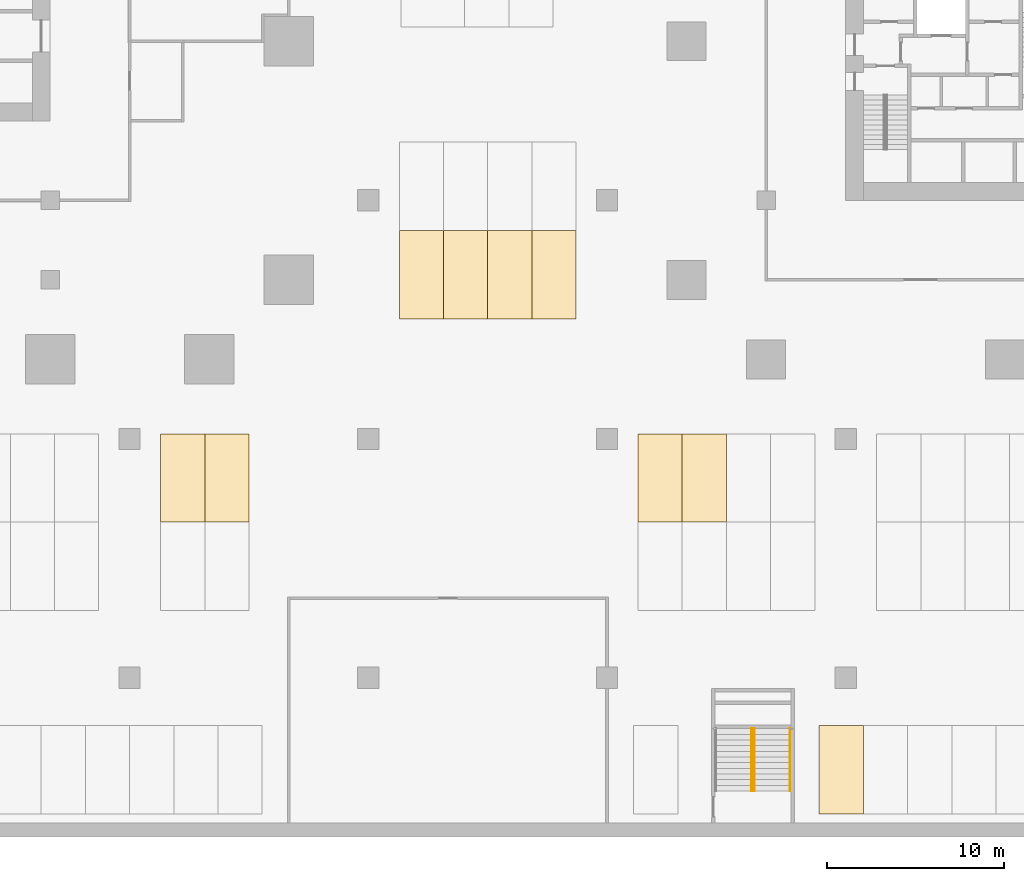
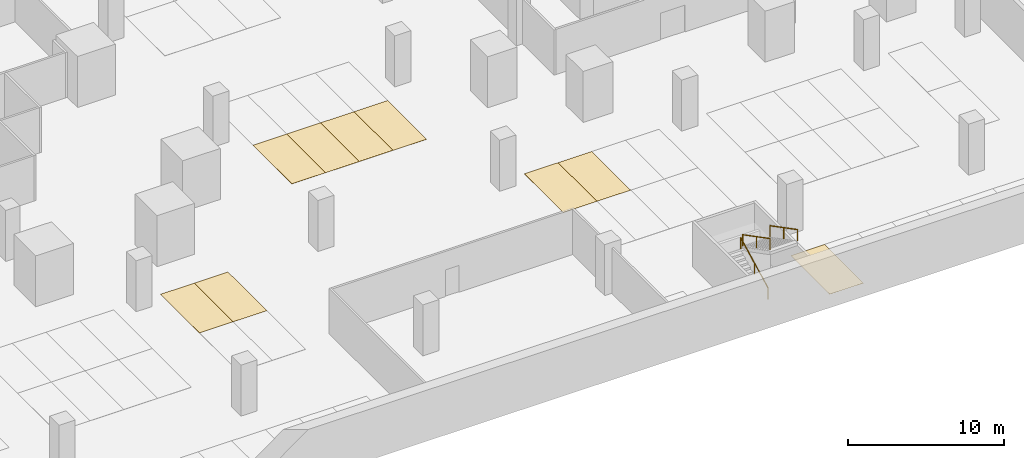
# One storey, part 21 of 31: 9 coverings, 3 railings.
"""IFC4 building model written with IfcOpenShell, lengths in metres."""

from ifc_helpers import new_model, si_unit, direction, frame, origin, origin_2d, place, context, subcontext, project, spatial, polyline, circle, outline, extrude, source, transform, mapped, material, layer, layer_set, type_object, element, save


model = new_model("IFC4")

# Units and contexts
model_context = context("Model", 3, precision=1e-05, world=origin(), true_north=direction((0.0, 1.0)))
body_context = subcontext(model_context, "Body", "Model", "MODEL_VIEW")
ifc_project = project(units=[si_unit("LENGTHUNIT", "METRE"), si_unit("AREAUNIT", "SQUARE_METRE"), si_unit("VOLUMEUNIT", "CUBIC_METRE"), si_unit("PLANEANGLEUNIT", "RADIAN"), si_unit("MASSUNIT", "GRAM", prefix="KILO")], contexts=[model_context])

# Site, building, storey
site_placement = place(None, origin())
site = spatial("IfcSite", under=ifc_project, at=site_placement, CompositionType="ELEMENT")
building_placement = place(site_placement, origin())
building = spatial("IfcBuilding", under=site, at=building_placement, Name="Altepetl Exchange Towers", CompositionType="ELEMENT")
storey_placement = place(building_placement, frame((0.0, 0.0, -4.0)))
storey = spatial("IfcBuildingStorey", under=building, at=storey_placement, Name="B1 Basement services", CompositionType="ELEMENT", Elevation=-4.0)

# Coverings
ifc_material_1 = material(Name="Road marking paint")
ifc_layer = layer(ifc_material_1, 0.010009765625)
ifc_layer_set = layer_set([ifc_layer], Name="Road marking paint")
covering_type = type_object("IfcCoveringType", Name="Parking bay marking 2500 x 5000", PredefinedType="FLOORING", material=ifc_layer_set)
covering_1_placement = place(storey_placement, origin())
element("IfcCovering", 1, at=covering_1_placement, inside=storey, type_object=covering_type, Name="Parking bay B1-017", PredefinedType="FLOORING", context=body_context, shape_type="SweptSolid", body=[
    extrude(outline(polyline([(102.0, 1.300048828125), (104.5, 1.300048828125), (104.5, 6.300048828125), (102.0, 6.300048828125), (102.0, 1.300048828125)])), origin(), (0.0, 0.0, 1.0), 0.010009765625),
])
covering_2_placement = place(storey_placement, origin())
element("IfcCovering", 2, at=covering_2_placement, inside=storey, type_object=covering_type, Name="Parking bay B1-061", PredefinedType="FLOORING", context=body_context, shape_type="SweptSolid", body=[
    extrude(outline(polyline([(64.75, 17.800048828125), (67.25, 17.800048828125), (67.25, 22.800048828125), (64.75, 22.800048828125), (64.75, 17.800048828125)])), origin(), (0.0, 0.0, 1.0), 0.010009765625),
])
covering_3_placement = place(storey_placement, origin())
element("IfcCovering", 3, at=covering_3_placement, inside=storey, type_object=covering_type, Name="Parking bay B1-062", PredefinedType="FLOORING", context=body_context, shape_type="SweptSolid", body=[
    extrude(outline(polyline([(67.25, 17.800048828125), (69.75, 17.800048828125), (69.75, 22.800048828125), (67.25, 22.800048828125), (67.25, 17.800048828125)])), origin(), (0.0, 0.0, 1.0), 0.010009765625),
])
covering_4_placement = place(storey_placement, origin())
element("IfcCovering", 4, at=covering_4_placement, inside=storey, type_object=covering_type, Name="Parking bay B1-063", PredefinedType="FLOORING", context=body_context, shape_type="SweptSolid", body=[
    extrude(outline(polyline([(91.75, 17.800048828125), (94.25, 17.800048828125), (94.25, 22.800048828125), (91.75, 22.800048828125), (91.75, 17.800048828125)])), origin(), (0.0, 0.0, 1.0), 0.010009765625),
])
covering_5_placement = place(storey_placement, origin())
element("IfcCovering", 5, at=covering_5_placement, inside=storey, type_object=covering_type, Name="Parking bay B1-064", PredefinedType="FLOORING", context=body_context, shape_type="SweptSolid", body=[
    extrude(outline(polyline([(94.25, 17.800048828125), (96.75, 17.800048828125), (96.75, 22.800048828125), (94.25, 22.800048828125), (94.25, 17.800048828125)])), origin(), (0.0, 0.0, 1.0), 0.010009765625),
])
covering_6_placement = place(storey_placement, origin())
element("IfcCovering", 6, at=covering_6_placement, inside=storey, type_object=covering_type, Name="Parking bay B1-072", PredefinedType="FLOORING", context=body_context, shape_type="SweptSolid", body=[
    extrude(outline(polyline([(78.25, 29.300048828125), (80.75, 29.300048828125), (80.75, 34.300048828125), (78.25, 34.300048828125), (78.25, 29.300048828125)])), origin(), (0.0, 0.0, 1.0), 0.010009765625),
])
covering_7_placement = place(storey_placement, origin())
element("IfcCovering", 7, at=covering_7_placement, inside=storey, type_object=covering_type, Name="Parking bay B1-073", PredefinedType="FLOORING", context=body_context, shape_type="SweptSolid", body=[
    extrude(outline(polyline([(80.75, 29.300048828125), (83.25, 29.300048828125), (83.25, 34.300048828125), (80.75, 34.300048828125), (80.75, 29.300048828125)])), origin(), (0.0, 0.0, 1.0), 0.010009765625),
])
covering_8_placement = place(storey_placement, origin())
element("IfcCovering", 8, at=covering_8_placement, inside=storey, type_object=covering_type, Name="Parking bay B1-074", PredefinedType="FLOORING", context=body_context, shape_type="SweptSolid", body=[
    extrude(outline(polyline([(83.25, 29.300048828125), (85.75, 29.300048828125), (85.75, 34.300048828125), (83.25, 34.300048828125), (83.25, 29.300048828125)])), origin(), (0.0, 0.0, 1.0), 0.010009765625),
])
covering_9_placement = place(storey_placement, origin())
element("IfcCovering", 9, at=covering_9_placement, inside=storey, type_object=covering_type, Name="Parking bay B1-075", PredefinedType="FLOORING", context=body_context, shape_type="SweptSolid", body=[
    extrude(outline(polyline([(85.75, 29.300048828125), (88.25, 29.300048828125), (88.25, 34.300048828125), (85.75, 34.300048828125), (85.75, 29.300048828125)])), origin(), (0.0, 0.0, 1.0), 0.010009765625),
])

# Railings
ifc_material_2 = material(Name="Stainless steel", Category="steel")
railing_type = type_object("IfcRailingType", Name="Stair handrail 900", PredefinedType="HANDRAIL", material=ifc_material_2)
shared_shape = source(origin(), body_context, "Body", "SweptSolid", [
    extrude(circle(Radius=0.02001953125, at=origin_2d()), origin(), (0.0, 0.0, 1.0), 0.849853515625),
])
railing_placement = place(storey_placement, frame((98.175048828125, 2.60009765625, 0.166748046875)))
element("IfcRailing", 10, at=railing_placement, inside=storey, type_object=railing_type, Name="rail:P:B1:ES2:1b", PredefinedType="HANDRAIL", context=body_context, shape_type="SweptSolid", body=[
    extrude(circle(Radius=0.02490234375, at=origin_2d()), frame((0.0, 0.0, 0.875), z_axis=(0.0, 0.886923534906, 0.461916272965), x_axis=(-1.0, 0.0, 0.0)), (0.0, 0.0, 1.0), 3.96875),
    mapped(shared_shape, transform((0.0, 0.0, 0.0))),
    mapped(shared_shape, transform((0.0, 1.760009765625, 0.91650390625))),
    mapped(shared_shape, transform((0.0, 3.52001953125, 1.833251953125))),
])
for number, where, name in (
    (11, (98.324951171875, 6.1201171875, 2.166748046875), "rail:P:B1:ES2:2a"),
    (12, (100.35009765625, 6.1201171875, 2.166748046875), "rail:P:B1:ES2:2b"),
):
    element("IfcRailing", number, at=place(storey_placement, frame(where)), inside=storey, type_object=railing_type, Name=name, PredefinedType="HANDRAIL", context=body_context, shape_type="SweptSolid", body=[
        extrude(circle(Radius=0.02490234375, at=origin_2d()), frame((0.0, 0.0, 0.875), z_axis=(0.0, -0.886923534906, 0.461916272965), x_axis=(1.0, 0.0, 0.0)), (0.0, 0.0, 1.0), 3.96875),
        mapped(shared_shape, transform((0.0, 0.0, 0.0))),
        mapped(shared_shape, transform((0.0, -1.760009765625, 0.91650390625))),
        mapped(shared_shape, transform((0.0, -3.52001953125, 1.833251953125))),
    ])

save(model, "model.ifc")
